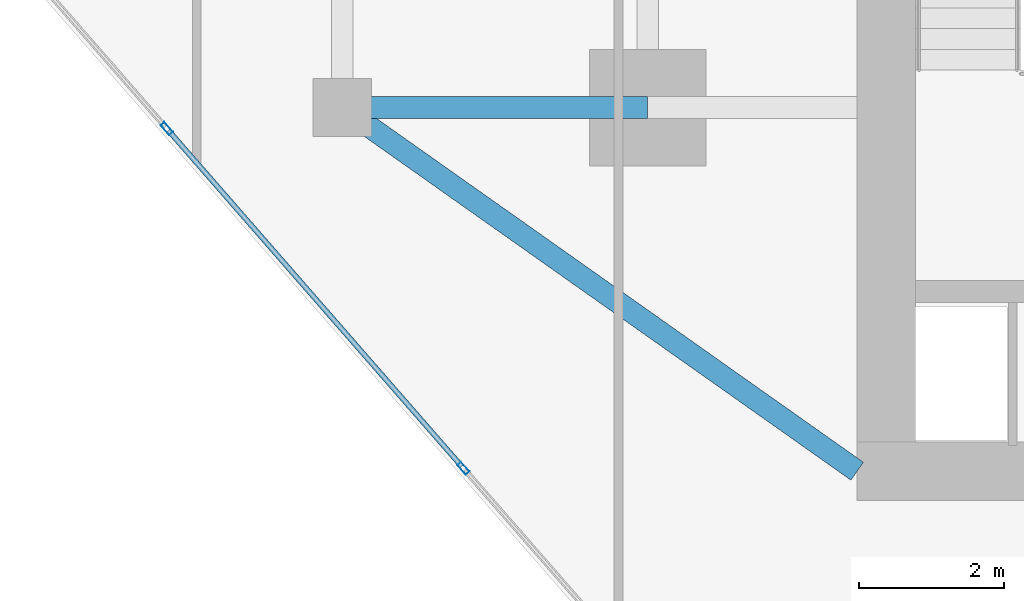
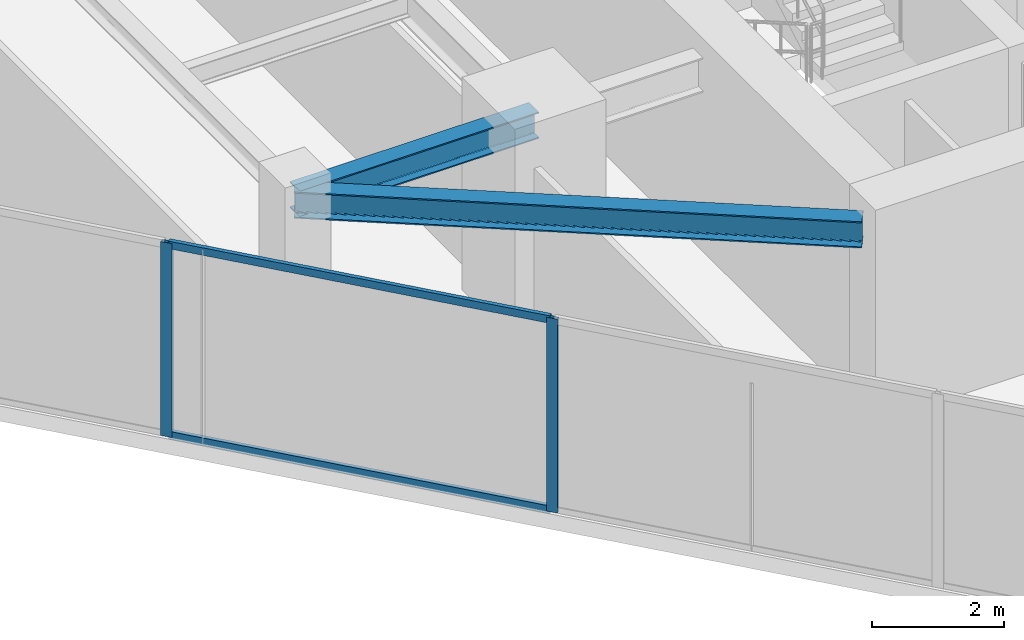
# One storey, part 2 of 24: 4 members, 2 beams, 1 element without a shape of its own.
"""IFC4 building model written with IfcOpenShell, lengths in metres."""

from ifc_helpers import new_model, si_unit, direction, frame, origin, origin_2d, place, context, subcontext, project, spatial, hollow_rectangle, i_section, extrude, source, transform, mapped, material, material_profile, profile_set, type_object, type_shapes, element, aggregate, save


model = new_model("IFC4")

# Units and contexts
model_context = context("Model", 3, precision=1e-05, world=origin(), true_north=direction((0.0, 1.0)))
body_context = subcontext(model_context, "Body", "Model", "MODEL_VIEW")
ifc_project = project(units=[si_unit("LENGTHUNIT", "METRE"), si_unit("AREAUNIT", "SQUARE_METRE"), si_unit("VOLUMEUNIT", "CUBIC_METRE"), si_unit("PLANEANGLEUNIT", "RADIAN"), si_unit("MASSUNIT", "GRAM", prefix="KILO")], contexts=[model_context])

# Site, building, storey
site_placement = place(None, origin())
site = spatial("IfcSite", under=ifc_project, at=site_placement, CompositionType="ELEMENT")
building_placement = place(site_placement, origin())
building = spatial("IfcBuilding", under=site, at=building_placement, Name="Krantzveldt Concourse Tower", CompositionType="ELEMENT")
storey_placement = place(building_placement, frame((0.0, 0.0, 258.64990234375)))
storey = spatial("IfcBuildingStorey", under=building, at=storey_placement, Name="L63", CompositionType="ELEMENT", Elevation=258.64990234375)

# Beams
ifc_material_1 = material(Name="Steel S355JR", Category="steel")
ifc_material_profile_1 = material_profile(ifc_material_1, i_section(OverallWidth=0.300048828125, OverallDepth=0.489990234375, WebThickness=0.011962890625, FlangeThickness=0.02294921875, FilletRadius=0.027099609375, at=origin_2d()), Name="Steel S355JR", Category="steel")
ifc_profile_set_1 = profile_set([ifc_material_profile_1], Name="Steel S355JR - HEA 500")
beam_type = type_object("IfcBeamType", Name="BM-B-HEA500", PredefinedType="BEAM", material=ifc_profile_set_1)
shared_shape_1 = source(origin(), body_context, "Body", "SweptSolid", [
    extrude(i_section(OverallWidth=0.300048828125, OverallDepth=0.489990234375, WebThickness=0.011962890625, FlangeThickness=0.02294921875, FilletRadius=0.027099609375, at=origin_2d()), origin(), (0.0, 0.0, 1.0), 4.199951171875),
])
beam_1_placement = place(storey_placement, frame((21.0, 15.89990234375, 3.35498046875), z_axis=(1.0, 0.0, 0.0), x_axis=(0.0, 1.0, 0.0)))
element("IfcBeam", 1, at=beam_1_placement, inside=storey, type_object=beam_type, Name="L63 Tower Girder BR-RL1", PredefinedType="BEAM", context=body_context, shape_type="MappedRepresentation", body=[
    mapped(shared_shape_1, transform((0.0, 0.0, 0.0), x_axis=(1.0, 0.0, 0.0), y_axis=(0.0, 1.0, 0.0), z_axis=(0.0, 0.0, 1.0), scale=1.0)),
])
shared_shape_2 = source(origin(), body_context, "Body", "SweptSolid", [
    extrude(i_section(OverallWidth=0.300048828125, OverallDepth=0.489990234375, WebThickness=0.011962890625, FlangeThickness=0.02294921875, FilletRadius=0.027099609375, at=origin_2d()), origin(), (0.0, 0.0, 1.0), 8.667724609375),
])
type_shapes(beam_type, [shared_shape_1, shared_shape_2])
beam_2_placement = place(storey_placement, frame((21.0, 15.89990234375, 3.35498046875), z_axis=(0.81684294656, -0.576860122261, 0.0), x_axis=(0.576860122261, 0.81684294656, 0.0)))
element("IfcBeam", 2, at=beam_2_placement, inside=storey, type_object=beam_type, Name="L63 Tower Girder BR-CSW", PredefinedType="BEAM", context=body_context, shape_type="MappedRepresentation", body=[
    mapped(shared_shape_2, transform((0.0, 0.0, 0.0), x_axis=(1.0, 0.0, 0.0), y_axis=(0.0, 1.0, 0.0), z_axis=(0.0, 0.0, 1.0), scale=1.0)),
])

# Curtain wall, members
ifc_material_2 = material(Name="Anodised aluminium 6063-T6", Category="aluminium")
curtain_wall_type = type_object("IfcCurtainWallType", Name="CW3", PredefinedType="USERDEFINED", material=ifc_material_2)
curtain_wall_placement = place(storey_placement, origin())
curtain_wall = element("IfcCurtainWall", 3, at=curtain_wall_placement, inside=storey, type_object=curtain_wall_type, Name="CW-L63-F04", ObjectType="UNITISED CURTAIN WALL", PredefinedType="USERDEFINED")
ifc_material_profile_2 = material_profile(ifc_material_2, hollow_rectangle(XDim=0.070068359375, YDim=0.179931640625, WallThickness=0.0048828125, at=origin_2d()), Name="Anodised aluminium 6063-T6", Category="aluminium")
ifc_profile_set_2 = profile_set([ifc_material_profile_2], Name="Anodised aluminium 6063-T6 - ALU-MULL 180x70x5")
member_type_1 = type_object("IfcMemberType", Name="CW-MUL-180", PredefinedType="MULLION", material=ifc_profile_set_2)
shared_shape_3 = source(origin(), body_context, "Body", "SweptSolid", [
    extrude(hollow_rectangle(XDim=0.070068359375, YDim=0.179931640625, WallThickness=0.0048828125, at=origin_2d()), origin(), (0.0, 0.0, 1.0), 3.60009765625),
])
type_shapes(member_type_1, [shared_shape_3])
member_1_placement = place(storey_placement, frame((18.586669921875, 15.611328125, 0.0), z_axis=(0.0, 0.0, 1.0), x_axis=(0.753276529034, 0.657703938567, 0.0)))
member_1 = element("IfcMember", 4, at=member_1_placement, type_object=member_type_1, Name="CW-Z34 mullion 3", PredefinedType="MULLION", context=body_context, shape_type="MappedRepresentation", body=[
    mapped(shared_shape_3, transform((0.0, 0.0, 0.0), x_axis=(1.0, 0.0, 0.0), y_axis=(0.0, 1.0, 0.0), z_axis=(0.0, 0.0, 1.0), scale=1.0)),
])
member_2_placement = place(storey_placement, frame((22.66455078125, 10.941162109375, 0.0), z_axis=(0.0, 0.0, 1.0), x_axis=(0.753276529034, 0.657703938567, 0.0)))
member_2 = element("IfcMember", 5, at=member_2_placement, type_object=member_type_1, Name="CW-Z34 mullion 4", PredefinedType="MULLION", context=body_context, shape_type="MappedRepresentation", body=[
    mapped(shared_shape_3, transform((0.0, 0.0, 0.0), x_axis=(1.0, 0.0, 0.0), y_axis=(0.0, 1.0, 0.0), z_axis=(0.0, 0.0, 1.0), scale=1.0)),
])
ifc_material_profile_3 = material_profile(ifc_material_2, hollow_rectangle(XDim=0.070068359375, YDim=0.139892578125, WallThickness=0.0048828125, at=origin_2d()), Name="Anodised aluminium 6063-T6", Category="aluminium")
ifc_profile_set_3 = profile_set([ifc_material_profile_3], Name="Anodised aluminium 6063-T6 - ALU-TRAN 140x70x5")
member_type_2 = type_object("IfcMemberType", Name="CW-TRN-150", PredefinedType="USERDEFINED", material=ifc_profile_set_3)
shared_shape_4 = source(origin(), body_context, "Body", "SweptSolid", [
    extrude(hollow_rectangle(XDim=0.070068359375, YDim=0.139892578125, WallThickness=0.0048828125, at=origin_2d()), origin(), (0.0, 0.0, 1.0), 6.1298828125),
])
type_shapes(member_type_2, [shared_shape_4])
member_3_placement = place(storey_placement, frame((18.60986328125, 15.5849609375, 0.03515625), z_axis=(0.657717559408, -0.753264636132, 0.0), x_axis=(0.753264636132, 0.657717559408, 0.0)))
member_3 = element("IfcMember", 6, at=member_3_placement, type_object=member_type_2, Name="CW-Z34 transom 3.1", ObjectType="TRANSOM", PredefinedType="USERDEFINED", context=body_context, shape_type="MappedRepresentation", body=[
    mapped(shared_shape_4, transform((0.0, 0.0, 0.0), x_axis=(1.0, 0.0, 0.0), y_axis=(0.0, 1.0, 0.0), z_axis=(0.0, 0.0, 1.0), scale=1.0)),
])
member_4_placement = place(storey_placement, frame((18.60986328125, 15.5849609375, 3.565185546875), z_axis=(0.657717559408, -0.753264636132, 0.0), x_axis=(0.753264636132, 0.657717559408, 0.0)))
member_4 = element("IfcMember", 7, at=member_4_placement, type_object=member_type_2, Name="CW-Z34 transom 3.2", ObjectType="TRANSOM", PredefinedType="USERDEFINED", context=body_context, shape_type="MappedRepresentation", body=[
    mapped(shared_shape_4, transform((0.0, 0.0, 0.0), x_axis=(1.0, 0.0, 0.0), y_axis=(0.0, 1.0, 0.0), z_axis=(0.0, 0.0, 1.0), scale=1.0)),
])
aggregate(curtain_wall, [member_1, member_2, member_3, member_4])

save(model, "model.ifc")
